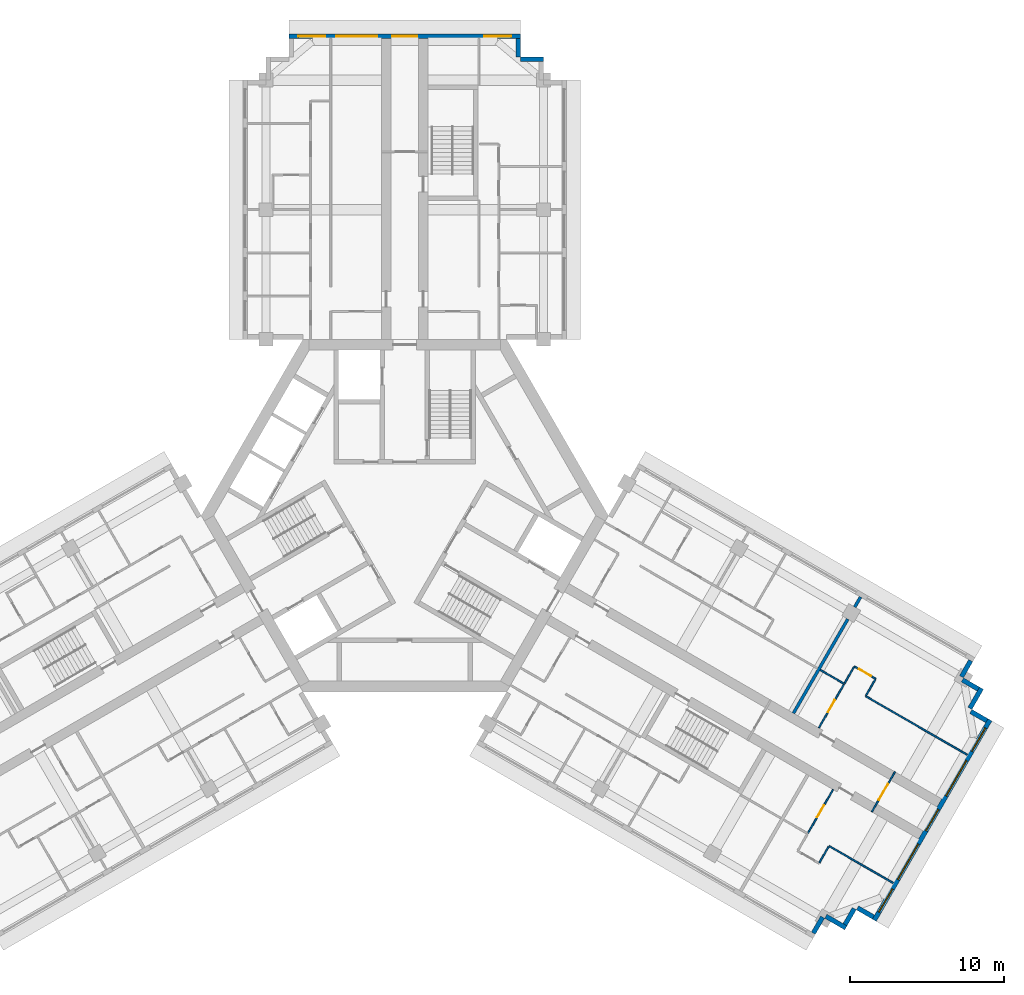
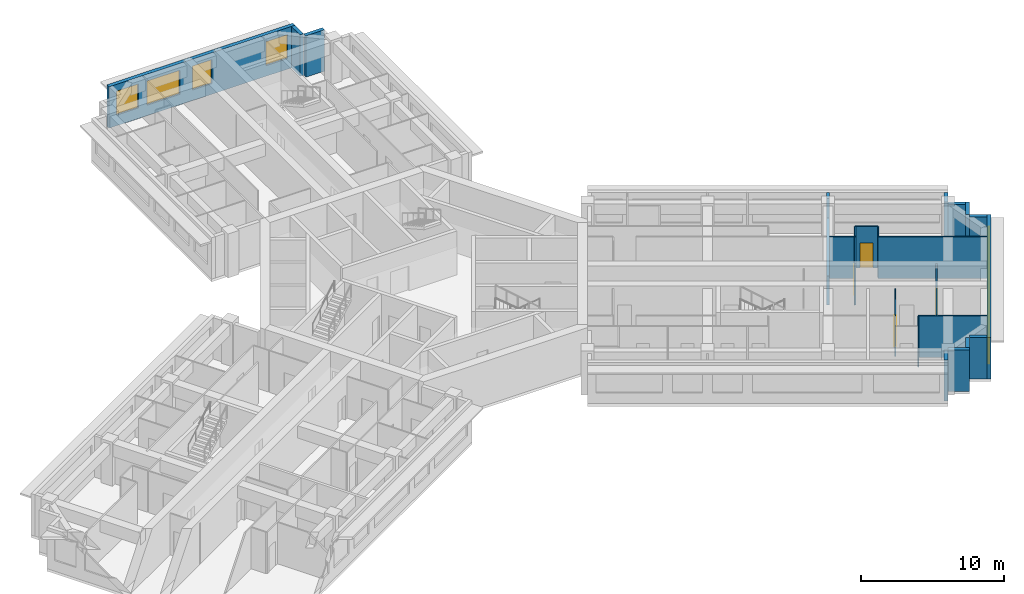
# One storey, part 9 of 11: 24 walls, 9 windows, 4 doors, 13 openings.
"""IFC4 building model written with IfcOpenShell, lengths in metres."""

import ifcopenshell
import ifcopenshell.guid

model = None  # the IFC model being written
_history = None  # IfcOwnerHistory: only IFC2X3 demands one
_inside = {}  # id of a spatial element -> (the spatial element, [elements in it])
_under = {}  # id of a project, library or spatial element -> (it, [spatial elements below it])
_declared = {}  # id of a project -> (the project, [libraries it declares])
_typed = {}  # id of a type object -> (the type object, [elements of that type])
_made_of = {}  # id of a material, layer set ... -> (it, [elements and type objects made of it])


def new_model(schema):
    """Start an empty IFC model of exactly this schema.

    Asked for "IFC4X3", IfcOpenShell would pick the latest addendum, in which some entities
    have other attributes; the version numbers below select the first issue.
    IFC2X3 requires an IfcOwnerHistory on every rooted entity: one is made here for all.
    """
    global model, _history
    if schema == "IFC4X3":
        model = ifcopenshell.file(schema_version=(4, 3, 0, 0))
    else:
        model = ifcopenshell.file(schema=schema)
    _inside.clear()
    _under.clear()
    _declared.clear()
    _typed.clear()
    _made_of.clear()
    _history = None
    if model.schema == "IFC2X3":
        org = make("IfcOrganization", Name="unknown")
        user = make(
            "IfcPersonAndOrganization",
            ThePerson=make("IfcPerson", FamilyName="unknown"),
            TheOrganization=org,
        )
        app = make(
            "IfcApplication",
            ApplicationDeveloper=org,
            Version="unknown",
            ApplicationFullName="unknown",
            ApplicationIdentifier="unknown",
        )
        _history = make(
            "IfcOwnerHistory",
            OwningUser=user,
            OwningApplication=app,
            ChangeAction="ADDED",
            CreationDate=0,
        )
    return model


def make(cls, **values):
    """One entity of the class cls with the attributes given. An attribute that is None is left unset."""
    return model.create_entity(
        cls, **{name: value for name, value in values.items() if value is not None}
    )


def rooted(cls, **values):
    """An entity with a GlobalId (a new one), such as an element, a storey or a relation."""
    return make(cls, GlobalId=ifcopenshell.guid.new(), OwnerHistory=_history, **values)


def si_unit(unit_type, name, prefix=None):
    """IfcSIUnit, for example si_unit("LENGTHUNIT", "METRE", prefix="MILLI")."""
    return make("IfcSIUnit", UnitType=unit_type, Prefix=prefix, Name=name)


def assignment(units):
    """IfcUnitAssignment: the units of a project."""
    return None if units is None else make("IfcUnitAssignment", Units=units)


def point(xyz):
    """IfcCartesianPoint."""
    return None if xyz is None else make("IfcCartesianPoint", Coordinates=xyz)


def direction(xyz):
    """IfcDirection."""
    return None if xyz is None else make("IfcDirection", DirectionRatios=xyz)


def frame(location, z_axis=None, x_axis=None):
    """IfcAxis2Placement3D, a coordinate frame: its origin and axes. An axis left out is left unset."""
    return make(
        "IfcAxis2Placement3D",
        Location=point(location),
        Axis=direction(z_axis),
        RefDirection=direction(x_axis),
    )


def frame_2d(location, x_axis=None):
    """IfcAxis2Placement2D, a coordinate frame in the plane: its origin and x axis."""
    return make(
        "IfcAxis2Placement2D", Location=point(location), RefDirection=direction(x_axis)
    )


def origin():
    """The frame at (0, 0, 0) with its axes left unset."""
    return frame((0.0, 0.0, 0.0))


def place(relative_to, where):
    """IfcLocalPlacement: puts the frame where relative to a parent placement (None: the world)."""
    return make(
        "IfcLocalPlacement", PlacementRelTo=relative_to, RelativePlacement=where
    )


def context(
    kind, dimensions, precision=None, world=None, true_north=None, identifier=None
):
    """IfcGeometricRepresentationContext, for example the 3D "Model" context."""
    return make(
        "IfcGeometricRepresentationContext",
        ContextIdentifier=identifier,
        ContextType=kind,
        CoordinateSpaceDimension=dimensions,
        Precision=precision,
        WorldCoordinateSystem=world,
        TrueNorth=true_north,
    )


def subcontext(parent, identifier, kind, view, scale=None):
    """IfcGeometricRepresentationSubContext, for example "Body" below "Model"."""
    return make(
        "IfcGeometricRepresentationSubContext",
        ContextIdentifier=identifier,
        ContextType=kind,
        ParentContext=parent,
        TargetScale=scale,
        TargetView=view,
    )


def project(units=None, contexts=None):
    """IfcProject with its units and contexts."""
    return rooted(
        "IfcProject",
        Name="project",
        RepresentationContexts=contexts,
        UnitsInContext=assignment(units),
    )


def spatial(cls, under=None, at=None, **own):
    """A site, building, storey or space (cls), placed at a placement, below another one or the project."""
    s = rooted(cls, ObjectPlacement=at, **own)
    if under is not None:
        _under.setdefault(under.id(), (under, []))[1].append(s)
    return s


def profile(cls, at=None, kind="AREA", **sizes):
    """A parametric profile (cls). Its sizes go by their IFC names, for example OverallWidth=200.0."""
    return make(cls, ProfileType=kind, Position=at, **sizes)


def rectangle(**sizes):
    """IfcRectangleProfileDef."""
    return profile("IfcRectangleProfileDef", **sizes)


def extrude(swept, where, along, depth):
    """IfcExtrudedAreaSolid: the profile swept, set in the frame where, extruded along a direction by depth."""
    return make(
        "IfcExtrudedAreaSolid",
        SweptArea=swept,
        Position=where,
        ExtrudedDirection=direction(along),
        Depth=depth,
    )


def shape(context_of_items, identifier, shape_type, items):
    """IfcShapeRepresentation: the items that make up one representation, for example the "Body"."""
    return make(
        "IfcShapeRepresentation",
        ContextOfItems=context_of_items,
        RepresentationIdentifier=identifier,
        RepresentationType=shape_type,
        Items=items,
    )


def material(Name=None, Category=None):
    """IfcMaterial."""
    return make("IfcMaterial", Name=Name, Category=Category)


def layer(
    of_material, thickness, ventilated=None, Name=None, Category=None, Priority=None
):
    """IfcMaterialLayer: one layer of a wall or slab, of a material (None: an air gap)."""
    return make(
        "IfcMaterialLayer",
        Material=of_material,
        LayerThickness=thickness,
        IsVentilated=ventilated,
        Name=Name,
        Category=Category,
        Priority=Priority,
    )


def layer_set(layers, Name=None):
    """IfcMaterialLayerSet."""
    return make("IfcMaterialLayerSet", MaterialLayers=layers, LayerSetName=Name)


def made_of(thing, what):
    """Note that an element or type object is made of a material, layer set ...; save() writes the relation."""
    if what is not None:
        _made_of.setdefault(what.id(), (what, []))[1].append(thing)
    return thing


def type_object(cls, material=None, **own):
    """A type object (cls), such as IfcWallType, which elements share."""
    return made_of(rooted(cls, **own), material)


def element(
    cls,
    number,
    at=None,
    inside=None,
    cuts=None,
    type_object=None,
    material=None,
    context=None,
    identifier="Body",
    shape_type=None,
    held_by="IfcProductDefinitionShape",
    body=None,
    shapes=None,
    **own,
):
    """One element of the class cls, such as IfcWall. Its Tag is "e" and its number.

    at: its placement. inside: the storey or other place that contains it. cuts: it is an
    opening in that element (IfcRelVoidsElement). A single representation is given by context,
    identifier, shape_type and body (its items); several are given by shapes. held_by: the class
    of the entity that holds the representations. save() writes the other relations.
    """
    e = rooted(cls, Tag="e%d" % number, ObjectPlacement=at, **own)
    if body is not None:
        shapes = [shape(context, identifier, shape_type, body)]
    if shapes is not None:
        e.Representation = make(held_by, Representations=shapes)
    if inside is not None:
        _inside.setdefault(inside.id(), (inside, []))[1].append(e)
    if cuts is not None:
        rooted(
            "IfcRelVoidsElement", RelatingBuildingElement=cuts, RelatedOpeningElement=e
        )
    if type_object is not None:
        _typed.setdefault(type_object.id(), (type_object, []))[1].append(e)
    return made_of(e, material)


def fill(opening, filler):
    """IfcRelFillsElement: the door or window that sits in an opening."""
    return rooted(
        "IfcRelFillsElement",
        RelatingOpeningElement=opening,
        RelatedBuildingElement=filler,
    )


def aggregate(whole, parts):
    """IfcRelAggregates: a whole, such as a stair, and the parts it consists of."""
    return rooted("IfcRelAggregates", RelatingObject=whole, RelatedObjects=parts)


def save(model, path):
    """Write the relations noted so far, then the file.

    IfcRelAggregates (storeys below a building ...), IfcRelContainedInSpatialStructure (elements
    in a storey), IfcRelDefinesByType, IfcRelAssociatesMaterial and IfcRelDeclares: one each for
    every whole, place, type object, material and project.
    """
    for whole, parts in _under.values():
        aggregate(whole, parts)
    for where, things in _inside.values():
        rooted(
            "IfcRelContainedInSpatialStructure",
            RelatedElements=things,
            RelatingStructure=where,
        )
    for kind, things in _typed.values():
        rooted("IfcRelDefinesByType", RelatedObjects=things, RelatingType=kind)
    for what, things in _made_of.values():
        rooted("IfcRelAssociatesMaterial", RelatedObjects=things, RelatingMaterial=what)
    for by, libraries in _declared.values():
        rooted("IfcRelDeclares", RelatingContext=by, RelatedDefinitions=libraries)
    model.write(path)


model = new_model("IFC4")

# Units and contexts
model_context = context("Model", 3, precision=1e-05, world=origin(), true_north=direction((0.0, 1.0)))
body_context = subcontext(model_context, "Body", "Model", "MODEL_VIEW")
ifc_project = project(units=[si_unit("LENGTHUNIT", "METRE"), si_unit("AREAUNIT", "SQUARE_METRE"), si_unit("VOLUMEUNIT", "CUBIC_METRE"), si_unit("PLANEANGLEUNIT", "RADIAN"), si_unit("MASSUNIT", "GRAM", prefix="KILO")], contexts=[model_context])

# Site, building, storey
site_placement = place(None, origin())
site = spatial("IfcSite", under=ifc_project, at=site_placement, CompositionType="ELEMENT")
building_placement = place(site_placement, origin())
building = spatial("IfcBuilding", under=site, at=building_placement, Name="Impinga Residences", CompositionType="ELEMENT")
storey_placement = place(building_placement, frame((0.0, 0.0, 199.75)))
storey = spatial("IfcBuildingStorey", under=building, at=storey_placement, Name="L49", CompositionType="ELEMENT", Elevation=199.75)

# Wall, opening, door
ifc_material_1 = material(Name="Concrete blockwork", Category="masonry")
ifc_layer_1 = layer(ifc_material_1, 0.10009765625)
ifc_layer_set_1 = layer_set([ifc_layer_1], Name="CP1 core room partition, blockwork 100")
wall_type_1 = type_object("IfcWallType", Name="CP1 core room partition, blockwork 100", PredefinedType="PARTITIONING", material=ifc_layer_set_1)
wall_1_placement = place(storey_placement, frame((31.781005859375, -16.61669921875, 0.0), z_axis=(0.0, 0.0, 1.0), x_axis=(-0.499990139034, -0.866031096941, 0.0)))
wall_1 = element("IfcWall", 1, at=wall_1_placement, inside=storey, type_object=wall_type_1, Name="Core room partition, blockwork L49:E:LNG", PredefinedType="PARTITIONING", context=body_context, shape_type="SweptSolid", body=[
    extrude(rectangle(XDim=3.0, YDim=0.10009765625, at=frame_2d((1.5, 0.0))), origin(), (0.0, 0.0, 1.0), 3.530029296875),
])
opening_1_placement = place(wall_1_placement, frame((0.89990234375, 0.0, 0.0)))
opening_1 = element("IfcOpeningElement", 2, at=opening_1_placement, cuts=wall_1, Name="Opening D3", PredefinedType="OPENING", context=body_context, shape_type="SweptSolid", body=[
    extrude(rectangle(XDim=1.199951171875, YDim=2.10009765625, at=frame_2d((0.60009765625, 1.050048828125))), frame((0.0, 0.06005859375, 0.0), z_axis=(0.0, -1.0, 0.0), x_axis=(1.0, 0.0, 0.0)), (0.0, 0.0, 1.0), 0.1201171875),
])
ifc_material_2 = material(Name="Timber door set", Category="wood")
door_type_1 = type_object("IfcDoorType", Name="D3 room door, leaf and a half 1200x2100", OperationType="DOUBLE_SWING_LEFT", PredefinedType="DOOR", material=ifc_material_2)
door_1_placement = place(opening_1_placement, origin())
door_1 = element("IfcDoor", 3, at=door_1_placement, inside=storey, type_object=door_type_1, Name="Residents' lounge door E", OperationType="DOUBLE_SWING_LEFT", OverallHeight=2.10009765625, OverallWidth=1.199951171875, PredefinedType="DOOR", context=body_context, shape_type="SweptSolid", body=[
    extrude(rectangle(XDim=1.199951171875, YDim=2.10009765625, at=frame_2d((0.60009765625, 1.050048828125))), frame((0.0, 0.02490234375, 0.0), z_axis=(0.0, -1.0, 0.0), x_axis=(1.0, 0.0, 0.0)), (0.0, 0.0, 1.0), 0.050048828125),
])
fill(opening_1, door_1)

# Wall, openings, windows
ifc_material_3 = material(Name="Terracotta rainscreen on blockwork", Category="masonry")
ifc_layer_2 = layer(ifc_material_3, 0.300048828125)
ifc_layer_set_2 = layer_set([ifc_layer_2], Name="EW1 external wall, terracotta rainscreen on blockwork 300")
wall_type_2 = type_object("IfcWallType", Name="EW1 external wall, terracotta rainscreen on blockwork 300", PredefinedType="SOLIDWALL", material=ifc_layer_set_2)
wall_2_placement = place(storey_placement, frame((-7.5, 31.08154296875, 0.0), z_axis=(0.0, 0.0, 1.0), x_axis=(1.0, 0.0, 0.0)))
wall_2 = element("IfcWall", 4, at=wall_2_placement, inside=storey, type_object=wall_type_2, Name="External wall EW1 L49", PredefinedType="SOLIDWALL", context=body_context, shape_type="SweptSolid", body=[
    extrude(rectangle(XDim=15.0, YDim=0.300048828125, at=frame_2d((7.5, 0.0))), origin(), (0.0, 0.0, 1.0), 3.530029296875),
])
opening_2_placement = place(wall_2_placement, frame((0.60009765625, 0.0, 0.89990234375)))
opening_2 = element("IfcOpeningElement", 5, at=opening_2_placement, cuts=wall_2, Name="Opening W1", PredefinedType="OPENING", context=body_context, shape_type="SweptSolid", body=[
    extrude(rectangle(XDim=1.75, YDim=2.050048828125, at=frame_2d((0.875, 1.02490234375))), frame((0.0, 0.159912109375, 0.0), z_axis=(0.0, -1.0, 0.0), x_axis=(1.0, 0.0, 0.0)), (0.0, 0.0, 1.0), 0.320068359375),
])
opening_3_placement = place(wall_2_placement, frame((3.050048828125, 0.0, 0.89990234375)))
opening_3 = element("IfcOpeningElement", 6, at=opening_3_placement, cuts=wall_2, Name="Opening W18", PredefinedType="OPENING", context=body_context, shape_type="SweptSolid", body=[
    extrude(rectangle(XDim=2.64990234375, YDim=2.050048828125, at=frame_2d((1.324951171875, 1.02490234375))), frame((0.0, 0.159912109375, 0.0), z_axis=(0.0, -1.0, 0.0), x_axis=(1.0, 0.0, 0.0)), (0.0, 0.0, 1.0), 0.320068359375),
])
opening_4_placement = place(wall_2_placement, frame((6.699951171875, 0.0, 0.89990234375)))
opening_4 = element("IfcOpeningElement", 7, at=opening_4_placement, cuts=wall_2, Name="Opening W19", PredefinedType="OPENING", context=body_context, shape_type="SweptSolid", body=[
    extrude(rectangle(XDim=1.60009765625, YDim=2.050048828125, at=frame_2d((0.800048828125, 1.02490234375))), frame((0.0, 0.159912109375, 0.0), z_axis=(0.0, -1.0, 0.0), x_axis=(1.0, 0.0, 0.0)), (0.0, 0.0, 1.0), 0.320068359375),
])
opening_5_placement = place(wall_2_placement, frame((12.64990234375, 0.0, 0.89990234375)))
opening_5 = element("IfcOpeningElement", 8, at=opening_5_placement, cuts=wall_2, Name="Opening W1", PredefinedType="OPENING", context=body_context, shape_type="SweptSolid", body=[
    extrude(rectangle(XDim=1.75, YDim=2.050048828125, at=frame_2d((0.875, 1.02490234375))), frame((0.0, 0.159912109375, 0.0), z_axis=(0.0, -1.0, 0.0), x_axis=(1.0, 0.0, 0.0)), (0.0, 0.0, 1.0), 0.320068359375),
])
ifc_material_4 = material(Name="Aluminium window, clear double glazing", Category="aluminium")
window_type_1 = type_object("IfcWindowType", Name="W1 ribbon window 1750x2050", PartitioningType="SINGLE_PANEL", PredefinedType="WINDOW", material=ifc_material_4)
window_1_placement = place(opening_2_placement, origin())
window_1 = element("IfcWindow", 9, at=window_1_placement, inside=storey, type_object=window_type_1, Name="Window L49", OverallHeight=2.050048828125, OverallWidth=1.75, PartitioningType="SINGLE_PANEL", PredefinedType="WINDOW", context=body_context, shape_type="SweptSolid", body=[
    extrude(rectangle(XDim=1.75, YDim=2.050048828125, at=frame_2d((0.875, 1.02490234375))), frame((0.0, 0.030029296875, 0.0), z_axis=(0.0, -1.0, 0.0), x_axis=(1.0, 0.0, 0.0)), (0.0, 0.0, 1.0), 0.06005859375),
])
fill(opening_2, window_1)
window_2_placement = place(opening_5_placement, origin())
window_2 = element("IfcWindow", 10, at=window_2_placement, inside=storey, type_object=window_type_1, Name="Window L49", OverallHeight=2.050048828125, OverallWidth=1.75, PartitioningType="SINGLE_PANEL", PredefinedType="WINDOW", context=body_context, shape_type="SweptSolid", body=[
    extrude(rectangle(XDim=1.75, YDim=2.050048828125, at=frame_2d((0.875, 1.02490234375))), frame((0.0, 0.030029296875, 0.0), z_axis=(0.0, -1.0, 0.0), x_axis=(1.0, 0.0, 0.0)), (0.0, 0.0, 1.0), 0.06005859375),
])
fill(opening_5, window_2)
window_type_2 = type_object("IfcWindowType", Name="W18 ribbon window 2650x2050", PartitioningType="SINGLE_PANEL", PredefinedType="WINDOW", material=ifc_material_4)
window_3_placement = place(opening_3_placement, origin())
window_3 = element("IfcWindow", 11, at=window_3_placement, inside=storey, type_object=window_type_2, Name="Window L49", OverallHeight=2.050048828125, OverallWidth=2.64990234375, PartitioningType="SINGLE_PANEL", PredefinedType="WINDOW", context=body_context, shape_type="SweptSolid", body=[
    extrude(rectangle(XDim=2.64990234375, YDim=2.050048828125, at=frame_2d((1.324951171875, 1.02490234375))), frame((0.0, 0.030029296875, 0.0), z_axis=(0.0, -1.0, 0.0), x_axis=(1.0, 0.0, 0.0)), (0.0, 0.0, 1.0), 0.06005859375),
])
fill(opening_3, window_3)
window_type_3 = type_object("IfcWindowType", Name="W19 ribbon window 1600x2050", PartitioningType="SINGLE_PANEL", PredefinedType="WINDOW", material=ifc_material_4)
window_4_placement = place(opening_4_placement, origin())
window_4 = element("IfcWindow", 12, at=window_4_placement, inside=storey, type_object=window_type_3, Name="Window L49", OverallHeight=2.050048828125, OverallWidth=1.60009765625, PartitioningType="SINGLE_PANEL", PredefinedType="WINDOW", context=body_context, shape_type="SweptSolid", body=[
    extrude(rectangle(XDim=1.60009765625, YDim=2.050048828125, at=frame_2d((0.800048828125, 1.02490234375))), frame((0.0, 0.030029296875, 0.0), z_axis=(0.0, -1.0, 0.0), x_axis=(1.0, 0.0, 0.0)), (0.0, 0.0, 1.0), 0.06005859375),
])
fill(opening_4, window_4)

# Walls
wall_3_placement = place(storey_placement, frame((7.35009765625, 30.931640625, 0.0), z_axis=(0.0, 0.0, 1.0), x_axis=(0.0, -1.0, 0.0)))
element("IfcWall", 13, at=wall_3_placement, inside=storey, type_object=wall_type_2, Name="External wall EW1 L49", PredefinedType="SOLIDWALL", context=body_context, shape_type="SweptSolid", body=[
    extrude(rectangle(XDim=1.195068359375, YDim=0.300048828125, at=frame_2d((0.59765625, 0.0))), origin(), (0.0, 0.0, 1.0), 3.530029296875),
])
wall_4_placement = place(storey_placement, frame((7.5, 29.58154296875, 0.0), z_axis=(0.0, 0.0, 1.0), x_axis=(1.0, 0.0, 0.0)))
element("IfcWall", 14, at=wall_4_placement, inside=storey, type_object=wall_type_2, Name="External wall EW1 L49", PredefinedType="SOLIDWALL", context=body_context, shape_type="SweptSolid", body=[
    extrude(rectangle(XDim=1.5, YDim=0.300048828125, at=frame_2d((0.75, 0.0))), origin(), (0.0, 0.0, 1.0), 3.530029296875),
])
wall_5_placement = place(storey_placement, frame((36.69384765625, -9.4072265625, 0.0), z_axis=(0.0, 0.0, 1.0), x_axis=(-0.499880961361, -0.866094119867, 0.0)))
element("IfcWall", 15, at=wall_5_placement, inside=storey, type_object=wall_type_2, Name="External wall EW1 L49", PredefinedType="SOLIDWALL", context=body_context, shape_type="SweptSolid", body=[
    extrude(rectangle(XDim=1.199951171875, YDim=0.300048828125, at=frame_2d((0.60009765625, 0.0))), origin(), (0.0, 0.0, 1.0), 3.530029296875),
])
wall_6_placement = place(storey_placement, frame((36.153076171875, -10.654052734375, 0.0), z_axis=(0.0, 0.0, 1.0), x_axis=(0.866059708757, -0.499940577336, 0.0)))
element("IfcWall", 16, at=wall_6_placement, inside=storey, type_object=wall_type_2, Name="External wall EW1 L49", PredefinedType="SOLIDWALL", context=body_context, shape_type="SweptSolid", body=[
    extrude(rectangle(XDim=1.195068359375, YDim=0.300048828125, at=frame_2d((0.59765625, 0.0))), origin(), (0.0, 0.0, 1.0), 3.530029296875),
])
wall_7_placement = place(storey_placement, frame((37.39306640625, -11.196533203125, 0.0), z_axis=(0.0, 0.0, 1.0), x_axis=(-0.499990139034, -0.866031096941, 0.0)))
element("IfcWall", 17, at=wall_7_placement, inside=storey, type_object=wall_type_2, Name="External wall EW1 L49", PredefinedType="SOLIDWALL", context=body_context, shape_type="SweptSolid", body=[
    extrude(rectangle(XDim=1.5, YDim=0.300048828125, at=frame_2d((0.75, 0.0))), origin(), (0.0, 0.0, 1.0), 3.530029296875),
])
wall_8_placement = place(storey_placement, frame((36.7021484375, -12.702880859375, 0.0), z_axis=(0.0, 0.0, 1.0), x_axis=(0.865971243484, -0.500093796661, 0.0)))
element("IfcWall", 18, at=wall_8_placement, inside=storey, type_object=wall_type_2, Name="External wall EW1 L49", PredefinedType="SOLIDWALL", context=body_context, shape_type="SweptSolid", body=[
    extrude(rectangle(XDim=1.195068359375, YDim=0.300048828125, at=frame_2d((0.59765625, 0.0))), origin(), (0.0, 0.0, 1.0), 3.530029296875),
])

# Wall, openings, windows
wall_9_placement = place(storey_placement, frame((37.94189453125, -13.24560546875, 0.0), z_axis=(0.0, 0.0, 1.0), x_axis=(-0.500004234368, -0.866022959057, 0.0)))
wall_9 = element("IfcWall", 19, at=wall_9_placement, inside=storey, type_object=wall_type_2, Name="External wall EW1 L49", PredefinedType="SOLIDWALL", context=body_context, shape_type="SweptSolid", body=[
    extrude(rectangle(XDim=14.999755859375, YDim=0.300048828125, at=frame_2d((7.5, 0.0))), origin(), (0.0, 0.0, 1.0), 3.530029296875),
])
opening_6_placement = place(wall_9_placement, frame((0.60009765625, 0.0, 0.89990234375)))
opening_6 = element("IfcOpeningElement", 20, at=opening_6_placement, cuts=wall_9, Name="Opening W1", PredefinedType="OPENING", context=body_context, shape_type="SweptSolid", body=[
    extrude(rectangle(XDim=1.75, YDim=2.050048828125, at=frame_2d((0.875, 1.02490234375))), frame((0.0, 0.159912109375, 0.0), z_axis=(0.0, -1.0, 0.0), x_axis=(1.0, 0.0, 0.0)), (0.0, 0.0, 1.0), 0.320068359375),
])
opening_7_placement = place(wall_9_placement, frame((3.050048828125, 0.0, 0.89990234375)))
opening_7 = element("IfcOpeningElement", 21, at=opening_7_placement, cuts=wall_9, Name="Opening W18", PredefinedType="OPENING", context=body_context, shape_type="SweptSolid", body=[
    extrude(rectangle(XDim=2.64990234375, YDim=2.050048828125, at=frame_2d((1.324951171875, 1.02490234375))), frame((0.0, 0.159912109375, 0.0), z_axis=(0.0, -1.0, 0.0), x_axis=(1.0, 0.0, 0.0)), (0.0, 0.0, 1.0), 0.320068359375),
])
opening_8_placement = place(wall_9_placement, frame((6.699951171875, 0.0, 0.89990234375)))
opening_8 = element("IfcOpeningElement", 22, at=opening_8_placement, cuts=wall_9, Name="Opening W19", PredefinedType="OPENING", context=body_context, shape_type="SweptSolid", body=[
    extrude(rectangle(XDim=1.60009765625, YDim=2.050048828125, at=frame_2d((0.800048828125, 1.02490234375))), frame((0.0, 0.159912109375, 0.0), z_axis=(0.0, -1.0, 0.0), x_axis=(1.0, 0.0, 0.0)), (0.0, 0.0, 1.0), 0.320068359375),
])
opening_9_placement = place(wall_9_placement, frame((9.300048828125, 0.0, 0.89990234375)))
opening_9 = element("IfcOpeningElement", 23, at=opening_9_placement, cuts=wall_9, Name="Opening W18", PredefinedType="OPENING", context=body_context, shape_type="SweptSolid", body=[
    extrude(rectangle(XDim=2.64990234375, YDim=2.050048828125, at=frame_2d((1.324951171875, 1.02490234375))), frame((0.0, 0.159912109375, 0.0), z_axis=(0.0, -1.0, 0.0), x_axis=(1.0, 0.0, 0.0)), (0.0, 0.0, 1.0), 0.320068359375),
])
opening_10_placement = place(wall_9_placement, frame((12.64990234375, 0.0, 0.89990234375)))
opening_10 = element("IfcOpeningElement", 24, at=opening_10_placement, cuts=wall_9, Name="Opening W1", PredefinedType="OPENING", context=body_context, shape_type="SweptSolid", body=[
    extrude(rectangle(XDim=1.75, YDim=2.050048828125, at=frame_2d((0.875, 1.02490234375))), frame((0.0, 0.159912109375, 0.0), z_axis=(0.0, -1.0, 0.0), x_axis=(1.0, 0.0, 0.0)), (0.0, 0.0, 1.0), 0.320068359375),
])
window_5_placement = place(opening_6_placement, origin())
window_5 = element("IfcWindow", 25, at=window_5_placement, inside=storey, type_object=window_type_1, Name="Window L49", OverallHeight=2.050048828125, OverallWidth=1.75, PartitioningType="SINGLE_PANEL", PredefinedType="WINDOW", context=body_context, shape_type="SweptSolid", body=[
    extrude(rectangle(XDim=1.75, YDim=2.050048828125, at=frame_2d((0.875, 1.02490234375))), frame((0.0, 0.030029296875, 0.0), z_axis=(0.0, -1.0, 0.0), x_axis=(1.0, 0.0, 0.0)), (0.0, 0.0, 1.0), 0.06005859375),
])
fill(opening_6, window_5)
window_6_placement = place(opening_10_placement, origin())
window_6 = element("IfcWindow", 26, at=window_6_placement, inside=storey, type_object=window_type_1, Name="Window L49", OverallHeight=2.050048828125, OverallWidth=1.75, PartitioningType="SINGLE_PANEL", PredefinedType="WINDOW", context=body_context, shape_type="SweptSolid", body=[
    extrude(rectangle(XDim=1.75, YDim=2.050048828125, at=frame_2d((0.875, 1.02490234375))), frame((0.0, 0.030029296875, 0.0), z_axis=(0.0, -1.0, 0.0), x_axis=(1.0, 0.0, 0.0)), (0.0, 0.0, 1.0), 0.06005859375),
])
fill(opening_10, window_6)
window_7_placement = place(opening_7_placement, origin())
window_7 = element("IfcWindow", 27, at=window_7_placement, inside=storey, type_object=window_type_2, Name="Window L49", OverallHeight=2.050048828125, OverallWidth=2.64990234375, PartitioningType="SINGLE_PANEL", PredefinedType="WINDOW", context=body_context, shape_type="SweptSolid", body=[
    extrude(rectangle(XDim=2.64990234375, YDim=2.050048828125, at=frame_2d((1.324951171875, 1.02490234375))), frame((0.0, 0.030029296875, 0.0), z_axis=(0.0, -1.0, 0.0), x_axis=(1.0, 0.0, 0.0)), (0.0, 0.0, 1.0), 0.06005859375),
])
fill(opening_7, window_7)
window_8_placement = place(opening_9_placement, origin())
window_8 = element("IfcWindow", 28, at=window_8_placement, inside=storey, type_object=window_type_2, Name="Window L49", OverallHeight=2.050048828125, OverallWidth=2.64990234375, PartitioningType="SINGLE_PANEL", PredefinedType="WINDOW", context=body_context, shape_type="SweptSolid", body=[
    extrude(rectangle(XDim=2.64990234375, YDim=2.050048828125, at=frame_2d((1.324951171875, 1.02490234375))), frame((0.0, 0.030029296875, 0.0), z_axis=(0.0, -1.0, 0.0), x_axis=(1.0, 0.0, 0.0)), (0.0, 0.0, 1.0), 0.06005859375),
])
fill(opening_9, window_8)
window_9_placement = place(opening_8_placement, origin())
window_9 = element("IfcWindow", 29, at=window_9_placement, inside=storey, type_object=window_type_3, Name="Window L49", OverallHeight=2.050048828125, OverallWidth=1.60009765625, PartitioningType="SINGLE_PANEL", PredefinedType="WINDOW", context=body_context, shape_type="SweptSolid", body=[
    extrude(rectangle(XDim=1.60009765625, YDim=2.050048828125, at=frame_2d((0.800048828125, 1.02490234375))), frame((0.0, 0.030029296875, 0.0), z_axis=(0.0, -1.0, 0.0), x_axis=(1.0, 0.0, 0.0)), (0.0, 0.0, 1.0), 0.06005859375),
])
fill(opening_8, window_9)

# Walls
wall_10_placement = place(storey_placement, frame((30.38720703125, -26.031005859375, 0.0), z_axis=(0.0, 0.0, 1.0), x_axis=(-0.866059708757, 0.499940577336, 0.0)))
element("IfcWall", 30, at=wall_10_placement, inside=storey, type_object=wall_type_2, Name="External wall EW1 L49", PredefinedType="SOLIDWALL", context=body_context, shape_type="SweptSolid", body=[
    extrude(rectangle(XDim=1.195068359375, YDim=0.300048828125, at=frame_2d((0.59765625, 0.0))), origin(), (0.0, 0.0, 1.0), 3.530029296875),
])
wall_11_placement = place(storey_placement, frame((29.14306640625, -25.48583984375, 0.0), z_axis=(0.0, 0.0, 1.0), x_axis=(-0.500033551112, -0.866006032174, 0.0)))
element("IfcWall", 31, at=wall_11_placement, inside=storey, type_object=wall_type_2, Name="External wall EW1 L49", PredefinedType="SOLIDWALL", context=body_context, shape_type="SweptSolid", body=[
    extrude(rectangle(XDim=1.2001953125, YDim=0.300048828125, at=frame_2d((0.60009765625, 0.0))), origin(), (0.0, 0.0, 1.0), 3.530029296875),
])
wall_12_placement = place(storey_placement, frame((28.597900390625, -26.72998046875, 0.0), z_axis=(0.0, 0.0, 1.0), x_axis=(-0.866031096941, 0.499990139034, 0.0)))
element("IfcWall", 32, at=wall_12_placement, inside=storey, type_object=wall_type_2, Name="External wall EW1 L49", PredefinedType="SOLIDWALL", context=body_context, shape_type="SweptSolid", body=[
    extrude(rectangle(XDim=1.5, YDim=0.300048828125, at=frame_2d((0.75, 0.0))), origin(), (0.0, 0.0, 1.0), 3.530029296875),
])
wall_13_placement = place(storey_placement, frame((27.091552734375, -26.039306640625, 0.0), z_axis=(0.0, 0.0, 1.0), x_axis=(-0.500093796661, -0.865971243484, 0.0)))
element("IfcWall", 33, at=wall_13_placement, inside=storey, type_object=wall_type_2, Name="External wall EW1 L49", PredefinedType="SOLIDWALL", context=body_context, shape_type="SweptSolid", body=[
    extrude(rectangle(XDim=1.195068359375, YDim=0.300048828125, at=frame_2d((0.59765625, 0.0))), origin(), (0.0, 0.0, 1.0), 3.530029296875),
])
ifc_material_5 = material(Name="Gypsum board on steel studs", Category="steel")
ifc_layer_3 = layer(ifc_material_5, 0.10009765625)
ifc_layer_set_3 = layer_set([ifc_layer_3], Name="Gypsum board on steel studs")
wall_type_3 = type_object("IfcWallType", Name="IP1 partition 100", PredefinedType="PARTITIONING", material=ifc_layer_set_3)
wall_14_placement = place(storey_placement, frame((26.935791015625, -10.0087890625, 0.0), z_axis=(0.0, 0.0, 1.0), x_axis=(0.865989075817, -0.500062916607, 0.0)))
element("IfcWall", 34, at=wall_14_placement, inside=storey, type_object=wall_type_3, Name="Partition L49-EA2:DIV0", PredefinedType="PARTITIONING", context=body_context, shape_type="SweptSolid", body=[
    extrude(rectangle(XDim=1.800048828125, YDim=0.10009765625, at=frame_2d((0.89990234375, 0.0))), origin(), (0.0, 0.0, 1.0), 3.530029296875),
])
wall_15_placement = place(storey_placement, frame((29.88037109375, -11.708740234375, 0.0), z_axis=(0.0, 0.0, 1.0), x_axis=(0.866022425744, -0.500005158081, 0.0)))
element("IfcWall", 35, at=wall_15_placement, inside=storey, type_object=wall_type_3, Name="Partition L49-EA2:DIV1", PredefinedType="PARTITIONING", context=body_context, shape_type="SweptSolid", body=[
    extrude(rectangle(XDim=7.60009765625, YDim=0.10009765625, at=frame_2d((3.800048828125, 0.0))), origin(), (0.0, 0.0, 1.0), 3.530029296875),
])

# Wall, opening, door
wall_16_placement = place(storey_placement, frame((29.144775390625, -9.782958984375, 0.0), z_axis=(0.0, 0.0, 1.0), x_axis=(0.865989903783, -0.500061482766, 0.0)))
wall_16 = element("IfcWall", 36, at=wall_16_placement, inside=storey, type_object=wall_type_3, Name="Partition L49-EA2:STRIP", PredefinedType="PARTITIONING", context=body_context, shape_type="SweptSolid", body=[
    extrude(rectangle(XDim=1.599853515625, YDim=0.10009765625, at=frame_2d((0.7998046875, 0.0))), origin(), (0.0, 0.0, 1.0), 3.530029296875),
])
opening_11_placement = place(wall_16_placement, frame((0.35009765625, 0.0, 0.0)))
opening_11 = element("IfcOpeningElement", 37, at=opening_11_placement, cuts=wall_16, Name="Opening D2", PredefinedType="OPENING", context=body_context, shape_type="SweptSolid", body=[
    extrude(rectangle(XDim=0.89990234375, YDim=2.10009765625, at=frame_2d((0.449951171875, 1.050048828125))), frame((0.0, 0.06005859375, 0.0), z_axis=(0.0, -1.0, 0.0), x_axis=(1.0, 0.0, 0.0)), (0.0, 0.0, 1.0), 0.1201171875),
])
door_type_2 = type_object("IfcDoorType", Name="D2 internal door 900x2100", OperationType="SINGLE_SWING_LEFT", PredefinedType="DOOR", material=ifc_material_2)
door_2_placement = place(opening_11_placement, origin())
door_2 = element("IfcDoor", 38, at=door_2_placement, inside=storey, type_object=door_type_2, Name="Apartment L49-EA2 room door", OperationType="SINGLE_SWING_LEFT", OverallHeight=2.10009765625, OverallWidth=0.89990234375, PredefinedType="DOOR", context=body_context, shape_type="SweptSolid", body=[
    extrude(rectangle(XDim=0.89990234375, YDim=2.10009765625, at=frame_2d((0.449951171875, 1.050048828125))), frame((0.0, 0.02490234375, 0.0), z_axis=(0.0, -1.0, 0.0), x_axis=(1.0, 0.0, 0.0)), (0.0, 0.0, 1.0), 0.050048828125),
])
fill(opening_11, door_2)

# Walls
wall_17_placement = place(storey_placement, frame((28.519775390625, -10.865478515625, 0.0), z_axis=(0.0, 0.0, 1.0), x_axis=(0.499969057507, 0.866043267704, 0.0)))
element("IfcWall", 39, at=wall_17_placement, inside=storey, type_object=wall_type_3, Name="Partition L49-EA2:SE0", PredefinedType="PARTITIONING", context=body_context, shape_type="SweptSolid", body=[
    extrude(rectangle(XDim=1.19970703125, YDim=0.10009765625, at=frame_2d((0.599853515625, 0.0))), origin(), (0.0, 0.0, 1.0), 3.530029296875),
])
wall_18_placement = place(storey_placement, frame((29.9052734375, -11.66552734375, 0.0), z_axis=(0.0, 0.0, 1.0), x_axis=(0.500033551112, 0.866006032174, 0.0)))
element("IfcWall", 40, at=wall_18_placement, inside=storey, type_object=wall_type_3, Name="Partition L49-EA2:SE1", PredefinedType="PARTITIONING", context=body_context, shape_type="SweptSolid", body=[
    extrude(rectangle(XDim=1.2001953125, YDim=0.10009765625, at=frame_2d((0.60009765625, 0.0))), origin(), (0.0, 0.0, 1.0), 3.530029296875),
])

# Wall, opening, door
wall_19_placement = place(storey_placement, frame((26.8447265625, -13.766845703125, 0.0), z_axis=(0.0, 0.0, 1.0), x_axis=(0.499984717929, 0.866034226713, 0.0)))
wall_19 = element("IfcWall", 41, at=wall_19_placement, inside=storey, type_object=wall_type_3, Name="Partition L49-EA2:IB1", PredefinedType="PARTITIONING", context=body_context, shape_type="SweptSolid", body=[
    extrude(rectangle(XDim=3.25, YDim=0.10009765625, at=frame_2d((1.625, 0.0))), origin(), (0.0, 0.0, 1.0), 3.530029296875),
])
opening_12_placement = place(wall_19_placement, frame((1.175048828125, 0.0, 0.0)))
opening_12 = element("IfcOpeningElement", 42, at=opening_12_placement, cuts=wall_19, Name="Opening D2", PredefinedType="OPENING", context=body_context, shape_type="SweptSolid", body=[
    extrude(rectangle(XDim=0.89990234375, YDim=2.10009765625, at=frame_2d((0.449951171875, 1.050048828125))), frame((0.0, 0.06005859375, 0.0), z_axis=(0.0, -1.0, 0.0), x_axis=(1.0, 0.0, 0.0)), (0.0, 0.0, 1.0), 0.1201171875),
])
door_3_placement = place(opening_12_placement, origin())
door_3 = element("IfcDoor", 43, at=door_3_placement, inside=storey, type_object=door_type_2, Name="Apartment L49-EA2 bathroom door", OperationType="SINGLE_SWING_LEFT", OverallHeight=2.10009765625, OverallWidth=0.89990234375, PredefinedType="DOOR", context=body_context, shape_type="SweptSolid", body=[
    extrude(rectangle(XDim=0.89990234375, YDim=2.10009765625, at=frame_2d((0.449951171875, 1.050048828125))), frame((0.0, 0.02490234375, 0.0), z_axis=(0.0, -1.0, 0.0), x_axis=(1.0, 0.0, 0.0)), (0.0, 0.0, 1.0), 0.050048828125),
])
fill(opening_12, door_3)

# Walls
wall_20_placement = place(storey_placement, frame((27.505126953125, -21.422607421875, 0.0), z_axis=(0.0, 0.0, 1.0), x_axis=(0.866015339567, -0.500017431331, 0.0)))
element("IfcWall", 44, at=wall_20_placement, inside=storey, type_object=wall_type_3, Name="Partition L49-EF2:DIV1", PredefinedType="PARTITIONING", context=body_context, shape_type="SweptSolid", body=[
    extrude(rectangle(XDim=4.800048828125, YDim=0.10009765625, at=frame_2d((2.39990234375, 0.0))), origin(), (0.0, 0.0, 1.0), 3.530029296875),
])
wall_21_placement = place(storey_placement, frame((27.480224609375, -21.466064453125, 0.0), z_axis=(0.0, 0.0, 1.0), x_axis=(-0.50012165622, -0.865955154139, 0.0)))
element("IfcWall", 45, at=wall_21_placement, inside=storey, type_object=wall_type_3, Name="Partition L49-EF2:SE1", PredefinedType="PARTITIONING", context=body_context, shape_type="SweptSolid", body=[
    extrude(rectangle(XDim=1.199951171875, YDim=0.10009765625, at=frame_2d((0.60009765625, 0.0))), origin(), (0.0, 0.0, 1.0), 3.530029296875),
])

# Wall, opening, door
wall_22_placement = place(storey_placement, frame((27.76953125, -17.764892578125, 0.0), z_axis=(0.0, 0.0, 1.0), x_axis=(-0.500017246033, -0.866015446554, 0.0)))
wall_22 = element("IfcWall", 46, at=wall_22_placement, inside=storey, type_object=wall_type_3, Name="Partition L49-EF2:IB1", PredefinedType="PARTITIONING", context=body_context, shape_type="SweptSolid", body=[
    extrude(rectangle(XDim=3.25, YDim=0.10009765625, at=frame_2d((1.625, 0.0))), origin(), (0.0, 0.0, 1.0), 3.530029296875),
])
opening_13_placement = place(wall_22_placement, frame((1.175048828125, 0.0, 0.0)))
opening_13 = element("IfcOpeningElement", 47, at=opening_13_placement, cuts=wall_22, Name="Opening D2", PredefinedType="OPENING", context=body_context, shape_type="SweptSolid", body=[
    extrude(rectangle(XDim=0.89990234375, YDim=2.10009765625, at=frame_2d((0.449951171875, 1.050048828125))), frame((0.0, 0.06005859375, 0.0), z_axis=(0.0, -1.0, 0.0), x_axis=(1.0, 0.0, 0.0)), (0.0, 0.0, 1.0), 0.1201171875),
])
door_4_placement = place(opening_13_placement, origin())
door_4 = element("IfcDoor", 48, at=door_4_placement, inside=storey, type_object=door_type_2, Name="Apartment L49-EF2 bathroom door", OperationType="SINGLE_SWING_LEFT", OverallHeight=2.10009765625, OverallWidth=0.89990234375, PredefinedType="DOOR", context=body_context, shape_type="SweptSolid", body=[
    extrude(rectangle(XDim=0.89990234375, YDim=2.10009765625, at=frame_2d((0.449951171875, 1.050048828125))), frame((0.0, 0.02490234375, 0.0), z_axis=(0.0, -1.0, 0.0), x_axis=(1.0, 0.0, 0.0)), (0.0, 0.0, 1.0), 0.050048828125),
])
fill(opening_13, door_4)

# Walls
ifc_layer_4 = layer(ifc_material_1, 0.199951171875)
ifc_layer_set_4 = layer_set([ifc_layer_4], Name="PW1 party wall between apartments 200")
wall_type_4 = type_object("IfcWallType", Name="PW1 party wall between apartments 200", PredefinedType="SOLIDWALL", material=ifc_layer_set_4)
wall_23_placement = place(storey_placement, frame((25.19921875, -12.816650390625, 0.0), z_axis=(0.0, 0.0, 1.0), x_axis=(0.499990246421, 0.866031034943, 0.0)))
element("IfcWall", 49, at=wall_23_placement, inside=storey, type_object=wall_type_4, Name="Party wall between apartments L49-EA1:PARTY", PredefinedType="SOLIDWALL", context=body_context, shape_type="SweptSolid", body=[
    extrude(rectangle(XDim=7.050048828125, YDim=0.199951171875, at=frame_2d((3.52490234375, 0.0))), origin(), (0.0, 0.0, 1.0), 2.47998046875),
])
wall_24_placement = place(storey_placement, frame((29.17431640625, -5.931884765625, 0.0), z_axis=(0.0, 0.0, 1.0), x_axis=(0.499919672301, 0.866071776036, 0.0)))
element("IfcWall", 50, at=wall_24_placement, inside=storey, type_object=wall_type_4, Name="Party wall between apartments L49-EA1:PARTYb", PredefinedType="SOLIDWALL", context=body_context, shape_type="SweptSolid", body=[
    extrude(rectangle(XDim=0.75, YDim=0.199951171875, at=frame_2d((0.375, 0.0))), origin(), (0.0, 0.0, 1.0), 3.530029296875),
])

save(model, "model.ifc")
